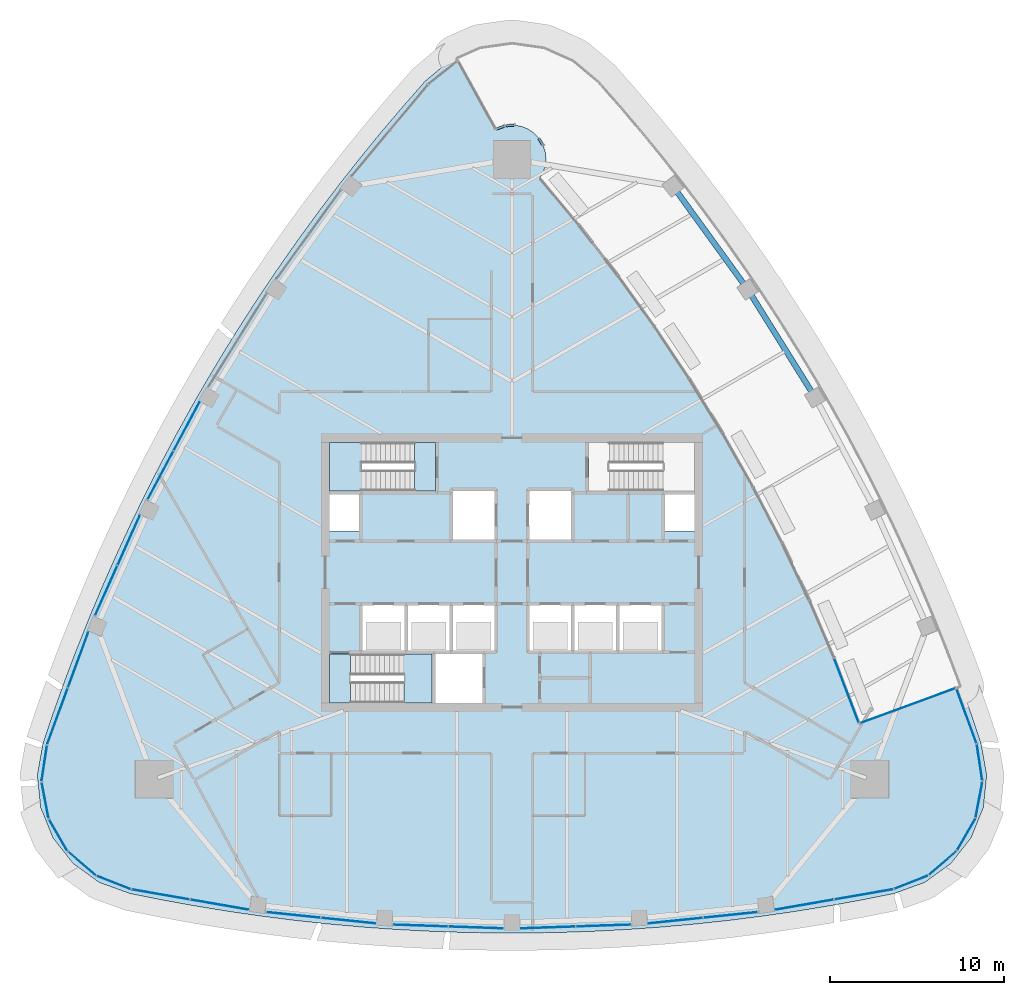
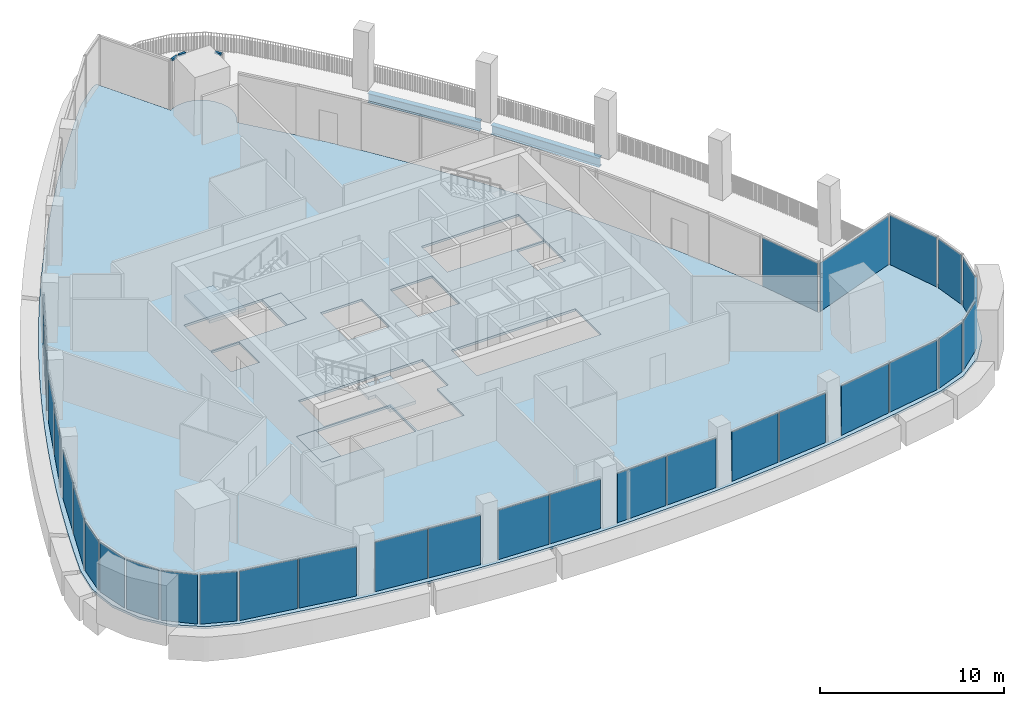
# One storey, part 7 of 18: 31 plates, 5 slabs, 3 members, 2 beams, 27 elements without a shape of their own.
"""IFC4 building model written with IfcOpenShell, lengths in metres."""

from ifc_helpers import new_model, si_unit, direction, frame, origin, origin_2d, place, context, subcontext, project, spatial, polyline, rectangle, i_section, outline, extrude, material, layer, layer_set, material_profile, profile_set, type_object, element, aggregate, save


model = new_model("IFC4")

# Units and contexts
model_context = context("Model", 3, precision=1e-05, world=origin(), true_north=direction((0.0, 1.0)))
body_context = subcontext(model_context, "Body", "Model", "MODEL_VIEW")
ifc_project = project(units=[si_unit("LENGTHUNIT", "METRE"), si_unit("AREAUNIT", "SQUARE_METRE"), si_unit("VOLUMEUNIT", "CUBIC_METRE"), si_unit("PLANEANGLEUNIT", "RADIAN"), si_unit("MASSUNIT", "GRAM", prefix="KILO")], contexts=[model_context])

# Site, building, storey
site_placement = place(None, origin())
site = spatial("IfcSite", under=ifc_project, at=site_placement, CompositionType="ELEMENT")
building_placement = place(site_placement, origin())
building = spatial("IfcBuilding", under=site, at=building_placement, Name="Sierra Prisma Convention Tower", CompositionType="ELEMENT")
storey_placement = place(building_placement, frame((0.0, 0.0, 291.0)))
storey = spatial("IfcBuildingStorey", under=building, at=storey_placement, Name="L66", CompositionType="ELEMENT", Elevation=291.0)

# Curtain wall, member
ifc_material_1 = material(Name="Aluminium and glass curtain wall", Category="aluminium")
ifc_layer_1 = layer(ifc_material_1, 0.179931640625)
ifc_layer_set_1 = layer_set([ifc_layer_1], Name="CW-6 Terrace recess curtain wall")
curtain_wall_type_1 = type_object("IfcCurtainWallType", Name="CW-6 Terrace recess curtain wall", PredefinedType="NOTDEFINED", material=ifc_layer_set_1)
curtain_wall_1_placement = place(storey_placement, origin())
curtain_wall_1 = element("IfcCurtainWall", 1, at=curtain_wall_1_placement, inside=storey, type_object=curtain_wall_type_1, Name="CW-6 R16 L66", PredefinedType="NOTDEFINED")
ifc_material_2 = material(Name="Aluminium 6063-T6 bronze anodised", Category="aluminium")
ifc_material_profile_1 = material_profile(ifc_material_2, rectangle(XDim=0.139892578125, YDim=0.1201171875, at=origin_2d()), Name="ALU TRANSOM 120x140")
ifc_profile_set_1 = profile_set([ifc_material_profile_1], Name="Aluminium 6063-T6 bronze anodised")
member_type = type_object("IfcMemberType", Name="CW transom bronze", PredefinedType="USERDEFINED", material=ifc_profile_set_1)
member_1_placement = place(storey_placement, frame((1.770751953125, 24.620849609375, 3.280029296875), z_axis=(-0.514330238623, 0.857592214072, 0.0), x_axis=(-0.857592214072, -0.514330238623, 0.0)))
member_1 = element("IfcMember", 2, at=member_1_placement, type_object=member_type, Name="CW-6 transom R16.1", ObjectType="TRANSOM", PredefinedType="USERDEFINED", context=body_context, shape_type="SweptSolid", body=[
    extrude(rectangle(XDim=0.139892578125, YDim=0.1201171875, at=origin_2d()), origin(), (0.0, 0.0, 1.0), 0.433837890625),
])
aggregate(curtain_wall_1, [member_1])

curtain_wall_2_placement = place(storey_placement, origin())
curtain_wall_2 = element("IfcCurtainWall", 3, at=curtain_wall_2_placement, inside=storey, type_object=curtain_wall_type_1, Name="CW-6 R21 L66", PredefinedType="NOTDEFINED")
member_2_placement = place(storey_placement, frame((0.121826171875, 25.755126953125, 3.280029296875), z_axis=(-0.998800969723, -0.048955315136, 0.0), x_axis=(0.048955315136, -0.998800969723, 0.0)))
member_2 = element("IfcMember", 4, at=member_2_placement, type_object=member_type, Name="CW-6 transom R21.1", ObjectType="TRANSOM", PredefinedType="USERDEFINED", context=body_context, shape_type="SweptSolid", body=[
    extrude(rectangle(XDim=0.139892578125, YDim=0.1201171875, at=origin_2d()), origin(), (0.0, 0.0, 1.0), 0.433837890625),
])
aggregate(curtain_wall_2, [member_2])

curtain_wall_3_placement = place(storey_placement, origin())
curtain_wall_3 = element("IfcCurtainWall", 5, at=curtain_wall_3_placement, inside=storey, type_object=curtain_wall_type_1, Name="CW-6 R22 L66", PredefinedType="NOTDEFINED")
member_3_placement = place(storey_placement, frame((-0.44677734375, 25.705322265625, 3.280029296875), z_axis=(-0.934057056594, -0.357123809102, 0.0), x_axis=(0.357123809102, -0.934057056594, 0.0)))
member_3 = element("IfcMember", 6, at=member_3_placement, type_object=member_type, Name="CW-6 transom R22.1", ObjectType="TRANSOM", PredefinedType="USERDEFINED", context=body_context, shape_type="SweptSolid", body=[
    extrude(rectangle(XDim=0.139892578125, YDim=0.1201171875, at=origin_2d()), origin(), (0.0, 0.0, 1.0), 0.458740234375),
])
aggregate(curtain_wall_3, [member_3])

# Beams
ifc_material_3 = material(Name="Steel ASTM A992 Gr 50", Category="steel")
ifc_material_profile_2 = material_profile(ifc_material_3, i_section(OverallWidth=0.324951171875, OverallDepth=0.615966796875, WebThickness=0.013916015625, FlangeThickness=0.021484375, at=origin_2d()), Name="W610x174")
ifc_profile_set_2 = profile_set([ifc_material_profile_2], Name="Steel ASTM A992 Gr 50")
beam_type = type_object("IfcBeamType", Name="Spandrel beam W610x174", PredefinedType="BEAM", material=ifc_profile_set_2)
beam_1_placement = place(storey_placement, frame((17.28173828125, 10.35888671875, -0.60791015625), z_axis=(-0.529509488144, 0.848304015059, 0.0), x_axis=(-0.848304015059, -0.529509488144, 0.0)))
element("IfcBeam", 7, at=beam_1_placement, inside=storey, type_object=beam_type, Name="Spandrel L66-10", PredefinedType="BEAM", context=body_context, shape_type="SweptSolid", body=[
    extrude(i_section(OverallWidth=0.324951171875, OverallDepth=0.615966796875, WebThickness=0.013916015625, FlangeThickness=0.021484375, at=origin_2d()), origin(), (0.0, 0.0, 1.0), 6.681884765625),
])
beam_2_placement = place(storey_placement, frame((13.375, 16.57470703125, -0.60791015625), z_axis=(-0.586599896772, 0.809876880215, 0.0), x_axis=(-0.809876880215, -0.586599896772, 0.0)))
element("IfcBeam", 8, at=beam_2_placement, inside=storey, type_object=beam_type, Name="Spandrel L66-11", PredefinedType="BEAM", context=body_context, shape_type="SweptSolid", body=[
    extrude(i_section(OverallWidth=0.324951171875, OverallDepth=0.615966796875, WebThickness=0.013916015625, FlangeThickness=0.021484375, at=origin_2d()), origin(), (0.0, 0.0, 1.0), 6.68212890625),
])

# Curtain wall, plates
ifc_material_4 = material(Name="Aluminium and glass curtain wall", Category="aluminium")
ifc_layer_2 = layer(ifc_material_4, 0.179931640625)
ifc_layer_set_2 = layer_set([ifc_layer_2], Name="CW-1 Plain shaft curtain wall")
curtain_wall_type_2 = type_object("IfcCurtainWallType", Name="CW-1 Plain shaft curtain wall", PredefinedType="NOTDEFINED", material=ifc_layer_set_2)
curtain_wall_4_placement = place(storey_placement, origin())
curtain_wall_4 = element("IfcCurtainWall", 9, at=curtain_wall_4_placement, inside=storey, type_object=curtain_wall_type_2, Name="CW-1 NW4 L66", PredefinedType="NOTDEFINED")
ifc_material_5 = material(Name="Tinted glass bronze-grey IGU", Category="glass")
ifc_layer_3 = layer(ifc_material_5, 0.028076171875)
ifc_layer_set_3 = layer_set([ifc_layer_3], Name="CW-1 glass panel")
plate_type_1 = type_object("IfcPlateType", Name="CW-1 glass panel", PredefinedType="CURTAIN_PANEL", material=ifc_layer_set_3)
plate_1_placement = place(storey_placement, frame((-18.737548828125, 8.41650390625, 0.0), z_axis=(0.0, 0.0, 1.0), x_axis=(-0.469906540465, -0.882716173653, 0.0)))
plate_1 = element("IfcPlate", 10, at=plate_1_placement, type_object=plate_type_1, Name="CW-1 panel NW4.1", PredefinedType="CURTAIN_PANEL", context=body_context, shape_type="SweptSolid", body=[
    extrude(rectangle(XDim=3.122314453125, YDim=0.028076171875, at=origin_2d()), origin(), (0.0, 0.0, 1.0), 3.280029296875),
])
plate_2_placement = place(storey_placement, frame((-20.23779296875, 5.5986328125, 0.0), z_axis=(0.0, 0.0, 1.0), x_axis=(-0.469906540465, -0.882716173653, 0.0)))
plate_2 = element("IfcPlate", 11, at=plate_2_placement, type_object=plate_type_1, Name="CW-1 panel NW4.2", PredefinedType="CURTAIN_PANEL", context=body_context, shape_type="SweptSolid", body=[
    extrude(rectangle(XDim=3.122314453125, YDim=0.028076171875, at=origin_2d()), origin(), (0.0, 0.0, 1.0), 3.280029296875),
])
aggregate(curtain_wall_4, [plate_1, plate_2])

curtain_wall_5_placement = place(storey_placement, origin())
curtain_wall_5 = element("IfcCurtainWall", 12, at=curtain_wall_5_placement, inside=storey, type_object=curtain_wall_type_2, Name="CW-1 NW5 L66", PredefinedType="NOTDEFINED")
plate_3_placement = place(storey_placement, frame((-22.0673828125, 1.858154296875, 0.0), z_axis=(0.0, 0.0, 1.0), x_axis=(-0.408086529685, -0.912943253598, 0.0)))
plate_3 = element("IfcPlate", 13, at=plate_3_placement, type_object=plate_type_1, Name="CW-1 panel NW5.1", PredefinedType="CURTAIN_PANEL", context=body_context, shape_type="SweptSolid", body=[
    extrude(rectangle(XDim=3.1064453125, YDim=0.028076171875, at=origin_2d()), origin(), (0.0, 0.0, 1.0), 3.280029296875),
])
plate_4_placement = place(storey_placement, frame((-23.363525390625, -1.041748046875, 0.0), z_axis=(0.0, 0.0, 1.0), x_axis=(-0.408086529685, -0.912943253598, 0.0)))
plate_4 = element("IfcPlate", 14, at=plate_4_placement, type_object=plate_type_1, Name="CW-1 panel NW5.2", PredefinedType="CURTAIN_PANEL", context=body_context, shape_type="SweptSolid", body=[
    extrude(rectangle(XDim=3.1064453125, YDim=0.028076171875, at=origin_2d()), origin(), (0.0, 0.0, 1.0), 3.280029296875),
])
aggregate(curtain_wall_5, [plate_3, plate_4])

curtain_wall_6_placement = place(storey_placement, origin())
curtain_wall_6 = element("IfcCurtainWall", 15, at=curtain_wall_6_placement, inside=storey, type_object=curtain_wall_type_2, Name="CW-1 NW6 L66", PredefinedType="NOTDEFINED")
plate_5_placement = place(storey_placement, frame((-24.98388671875, -5.03662109375, 0.0), z_axis=(0.0, 0.0, 1.0), x_axis=(-0.344334069994, -0.938847191103, 0.0)))
plate_5 = element("IfcPlate", 16, at=plate_5_placement, type_object=plate_type_1, Name="CW-1 panel NW6.1", PredefinedType="CURTAIN_PANEL", context=body_context, shape_type="SweptSolid", body=[
    extrude(rectangle(XDim=3.353271484375, YDim=0.028076171875, at=origin_2d()), origin(), (0.0, 0.0, 1.0), 3.280029296875),
])
plate_6_placement = place(storey_placement, frame((-26.16259765625, -8.250732421875, 0.0), z_axis=(0.0, 0.0, 1.0), x_axis=(-0.344334069994, -0.938847191103, 0.0)))
plate_6 = element("IfcPlate", 17, at=plate_6_placement, type_object=plate_type_1, Name="CW-1 panel NW6.2", PredefinedType="CURTAIN_PANEL", context=body_context, shape_type="SweptSolid", body=[
    extrude(rectangle(XDim=3.353271484375, YDim=0.028076171875, at=origin_2d()), origin(), (0.0, 0.0, 1.0), 3.280029296875),
])
aggregate(curtain_wall_6, [plate_5, plate_6])

# Curtain wall, plate
curtain_wall_7_placement = place(storey_placement, origin())
curtain_wall_7 = element("IfcCurtainWall", 18, at=curtain_wall_7_placement, inside=storey, type_object=curtain_wall_type_2, Name="CW-1 SW1 L66", PredefinedType="NOTDEFINED")
plate_7_placement = place(storey_placement, frame((-26.924560546875, -10.960205078125, 0.0), z_axis=(0.0, 0.0, 1.0), x_axis=(-0.14842224181, -0.988924081078, 0.0)))
plate_7 = element("IfcPlate", 19, at=plate_7_placement, type_object=plate_type_1, Name="CW-1 panel SW1.1", PredefinedType="CURTAIN_PANEL", context=body_context, shape_type="SweptSolid", body=[
    extrude(rectangle(XDim=2.023681640625, YDim=0.028076171875, at=origin_2d()), origin(), (0.0, 0.0, 1.0), 3.280029296875),
])
aggregate(curtain_wall_7, [plate_7])

curtain_wall_8_placement = place(storey_placement, origin())
curtain_wall_8 = element("IfcCurtainWall", 20, at=curtain_wall_8_placement, inside=storey, type_object=curtain_wall_type_2, Name="CW-1 SW2 L66", PredefinedType="NOTDEFINED")
plate_8_placement = place(storey_placement, frame((-26.8837890625, -13.093017578125, 0.0), z_axis=(0.0, 0.0, 1.0), x_axis=(0.186219631717, -0.982508141831, 0.0)))
plate_8 = element("IfcPlate", 21, at=plate_8_placement, type_object=plate_type_1, Name="CW-1 panel SW2.1", PredefinedType="CURTAIN_PANEL", context=body_context, shape_type="SweptSolid", body=[
    extrude(rectangle(XDim=2.023681640625, YDim=0.028076171875, at=origin_2d()), origin(), (0.0, 0.0, 1.0), 3.280029296875),
])
aggregate(curtain_wall_8, [plate_8])

curtain_wall_9_placement = place(storey_placement, origin())
curtain_wall_9 = element("IfcCurtainWall", 22, at=curtain_wall_9_placement, inside=storey, type_object=curtain_wall_type_2, Name="CW-1 SW3 L66", PredefinedType="NOTDEFINED")
plate_9_placement = place(storey_placement, frame((-26.141357421875, -15.0927734375, 0.0), z_axis=(0.0, 0.0, 1.0), x_axis=(0.5, -0.866025403784, 0.0)))
plate_9 = element("IfcPlate", 23, at=plate_9_placement, type_object=plate_type_1, Name="CW-1 panel SW3.1", PredefinedType="CURTAIN_PANEL", context=body_context, shape_type="SweptSolid", body=[
    extrude(rectangle(XDim=2.023681640625, YDim=0.028076171875, at=origin_2d()), origin(), (0.0, 0.0, 1.0), 3.280029296875),
])
aggregate(curtain_wall_9, [plate_9])

curtain_wall_10_placement = place(storey_placement, origin())
curtain_wall_10 = element("IfcCurtainWall", 24, at=curtain_wall_10_placement, inside=storey, type_object=curtain_wall_type_2, Name="CW-1 SW4 L66", PredefinedType="NOTDEFINED")
plate_10_placement = place(storey_placement, frame((-24.78076171875, -16.735595703125, 0.0), z_axis=(0.0, 0.0, 1.0), x_axis=(0.757767194392, -0.652525002665, 0.0)))
plate_10 = element("IfcPlate", 25, at=plate_10_placement, type_object=plate_type_1, Name="CW-1 panel SW4.1", PredefinedType="CURTAIN_PANEL", context=body_context, shape_type="SweptSolid", body=[
    extrude(rectangle(XDim=2.023681640625, YDim=0.028076171875, at=origin_2d()), origin(), (0.0, 0.0, 1.0), 3.280029296875),
])
aggregate(curtain_wall_10, [plate_10])

curtain_wall_11_placement = place(storey_placement, origin())
curtain_wall_11 = element("IfcCurtainWall", 26, at=curtain_wall_11_placement, inside=storey, type_object=curtain_wall_type_2, Name="CW-1 SW5 L66", PredefinedType="NOTDEFINED")
plate_11_placement = place(storey_placement, frame((-22.9541015625, -17.83740234375, 0.0), z_axis=(0.0, 0.0, 1.0), x_axis=(0.930644497533, -0.365924608645, 0.0)))
plate_11 = element("IfcPlate", 27, at=plate_11_placement, type_object=plate_type_1, Name="CW-1 panel SW5.1", PredefinedType="CURTAIN_PANEL", context=body_context, shape_type="SweptSolid", body=[
    extrude(rectangle(XDim=2.023681640625, YDim=0.028076171875, at=origin_2d()), origin(), (0.0, 0.0, 1.0), 3.280029296875),
])
aggregate(curtain_wall_11, [plate_11])

# Curtain wall, plates
curtain_wall_12_placement = place(storey_placement, origin())
curtain_wall_12 = element("IfcCurtainWall", 28, at=curtain_wall_12_placement, inside=storey, type_object=curtain_wall_type_2, Name="CW-1 S1 L66", PredefinedType="NOTDEFINED")
plate_12_placement = place(storey_placement, frame((-20.2265625, -18.5322265625, 0.0), z_axis=(0.0, 0.0, 1.0), x_axis=(0.985232552764, -0.171221543548, 0.0)))
plate_12 = element("IfcPlate", 29, at=plate_12_placement, type_object=plate_type_1, Name="CW-1 panel S1.1", PredefinedType="CURTAIN_PANEL", context=body_context, shape_type="SweptSolid", body=[
    extrude(rectangle(XDim=3.353271484375, YDim=0.028076171875, at=origin_2d()), origin(), (0.0, 0.0, 1.0), 3.280029296875),
])
plate_13_placement = place(storey_placement, frame((-16.853759765625, -19.118408203125, 0.0), z_axis=(0.0, 0.0, 1.0), x_axis=(0.985232552764, -0.171221543548, 0.0)))
plate_13 = element("IfcPlate", 30, at=plate_13_placement, type_object=plate_type_1, Name="CW-1 panel S1.2", PredefinedType="CURTAIN_PANEL", context=body_context, shape_type="SweptSolid", body=[
    extrude(rectangle(XDim=3.353271484375, YDim=0.028076171875, at=origin_2d()), origin(), (0.0, 0.0, 1.0), 3.280029296875),
])
aggregate(curtain_wall_12, [plate_12, plate_13])

curtain_wall_13_placement = place(storey_placement, origin())
curtain_wall_13 = element("IfcCurtainWall", 31, at=curtain_wall_13_placement, inside=storey, type_object=curtain_wall_type_2, Name="CW-1 S2 L66", PredefinedType="NOTDEFINED")
plate_14_placement = place(storey_placement, frame((-12.583984375, -19.712646484375, 0.0), z_axis=(0.0, 0.0, 1.0), x_axis=(0.994675314672, -0.10305832515, 0.0)))
plate_14 = element("IfcPlate", 32, at=plate_14_placement, type_object=plate_type_1, Name="CW-1 panel S2.1", PredefinedType="CURTAIN_PANEL", context=body_context, shape_type="SweptSolid", body=[
    extrude(rectangle(XDim=3.1064453125, YDim=0.028076171875, at=origin_2d()), origin(), (0.0, 0.0, 1.0), 3.280029296875),
])
plate_15_placement = place(storey_placement, frame((-9.42431640625, -20.0400390625, 0.0), z_axis=(0.0, 0.0, 1.0), x_axis=(0.994675314672, -0.10305832515, 0.0)))
plate_15 = element("IfcPlate", 33, at=plate_15_placement, type_object=plate_type_1, Name="CW-1 panel S2.2", PredefinedType="CURTAIN_PANEL", context=body_context, shape_type="SweptSolid", body=[
    extrude(rectangle(XDim=3.1064453125, YDim=0.028076171875, at=origin_2d()), origin(), (0.0, 0.0, 1.0), 3.280029296875),
])
aggregate(curtain_wall_13, [plate_14, plate_15])

curtain_wall_14_placement = place(storey_placement, origin())
curtain_wall_14 = element("IfcCurtainWall", 34, at=curtain_wall_14_placement, inside=storey, type_object=curtain_wall_type_2, Name="CW-1 S3 L66", PredefinedType="NOTDEFINED")
plate_16_placement = place(storey_placement, frame((-5.270263671875, -20.32568359375, 0.0), z_axis=(0.0, 0.0, 1.0), x_axis=(0.999407900947, -0.03440708538, 0.0)))
plate_16 = element("IfcPlate", 35, at=plate_16_placement, type_object=plate_type_1, Name="CW-1 panel S3.1", PredefinedType="CURTAIN_PANEL", context=body_context, shape_type="SweptSolid", body=[
    extrude(rectangle(XDim=3.122314453125, YDim=0.028076171875, at=origin_2d()), origin(), (0.0, 0.0, 1.0), 3.280029296875),
])
plate_17_placement = place(storey_placement, frame((-2.079833984375, -20.435546875, 0.0), z_axis=(0.0, 0.0, 1.0), x_axis=(0.999407900947, -0.03440708538, 0.0)))
plate_17 = element("IfcPlate", 36, at=plate_17_placement, type_object=plate_type_1, Name="CW-1 panel S3.2", PredefinedType="CURTAIN_PANEL", context=body_context, shape_type="SweptSolid", body=[
    extrude(rectangle(XDim=3.122314453125, YDim=0.028076171875, at=origin_2d()), origin(), (0.0, 0.0, 1.0), 3.280029296875),
])
aggregate(curtain_wall_14, [plate_16, plate_17])

curtain_wall_15_placement = place(storey_placement, origin())
curtain_wall_15 = element("IfcCurtainWall", 37, at=curtain_wall_15_placement, inside=storey, type_object=curtain_wall_type_2, Name="CW-1 S4 L66", PredefinedType="NOTDEFINED")
plate_18_placement = place(storey_placement, frame((2.079833984375, -20.435546875, 0.0), z_axis=(0.0, 0.0, 1.0), x_axis=(0.999407900947, 0.03440708538, 0.0)))
plate_18 = element("IfcPlate", 38, at=plate_18_placement, type_object=plate_type_1, Name="CW-1 panel S4.1", PredefinedType="CURTAIN_PANEL", context=body_context, shape_type="SweptSolid", body=[
    extrude(rectangle(XDim=3.122314453125, YDim=0.028076171875, at=origin_2d()), origin(), (0.0, 0.0, 1.0), 3.280029296875),
])
plate_19_placement = place(storey_placement, frame((5.270263671875, -20.32568359375, 0.0), z_axis=(0.0, 0.0, 1.0), x_axis=(0.999407900947, 0.03440708538, 0.0)))
plate_19 = element("IfcPlate", 39, at=plate_19_placement, type_object=plate_type_1, Name="CW-1 panel S4.2", PredefinedType="CURTAIN_PANEL", context=body_context, shape_type="SweptSolid", body=[
    extrude(rectangle(XDim=3.122314453125, YDim=0.028076171875, at=origin_2d()), origin(), (0.0, 0.0, 1.0), 3.280029296875),
])
aggregate(curtain_wall_15, [plate_18, plate_19])

curtain_wall_16_placement = place(storey_placement, origin())
curtain_wall_16 = element("IfcCurtainWall", 40, at=curtain_wall_16_placement, inside=storey, type_object=curtain_wall_type_2, Name="CW-1 S5 L66", PredefinedType="NOTDEFINED")
plate_20_placement = place(storey_placement, frame((9.42431640625, -20.0400390625, 0.0), z_axis=(0.0, 0.0, 1.0), x_axis=(0.994675314672, 0.10305832515, 0.0)))
plate_20 = element("IfcPlate", 41, at=plate_20_placement, type_object=plate_type_1, Name="CW-1 panel S5.1", PredefinedType="CURTAIN_PANEL", context=body_context, shape_type="SweptSolid", body=[
    extrude(rectangle(XDim=3.1064453125, YDim=0.028076171875, at=origin_2d()), origin(), (0.0, 0.0, 1.0), 3.280029296875),
])
plate_21_placement = place(storey_placement, frame((12.583984375, -19.712646484375, 0.0), z_axis=(0.0, 0.0, 1.0), x_axis=(0.994675314672, 0.10305832515, 0.0)))
plate_21 = element("IfcPlate", 42, at=plate_21_placement, type_object=plate_type_1, Name="CW-1 panel S5.2", PredefinedType="CURTAIN_PANEL", context=body_context, shape_type="SweptSolid", body=[
    extrude(rectangle(XDim=3.1064453125, YDim=0.028076171875, at=origin_2d()), origin(), (0.0, 0.0, 1.0), 3.280029296875),
])
aggregate(curtain_wall_16, [plate_20, plate_21])

curtain_wall_17_placement = place(storey_placement, origin())
curtain_wall_17 = element("IfcCurtainWall", 43, at=curtain_wall_17_placement, inside=storey, type_object=curtain_wall_type_2, Name="CW-1 S6 L66", PredefinedType="NOTDEFINED")
plate_22_placement = place(storey_placement, frame((16.853759765625, -19.118408203125, 0.0), z_axis=(0.0, 0.0, 1.0), x_axis=(0.985232552764, 0.171221543548, 0.0)))
plate_22 = element("IfcPlate", 44, at=plate_22_placement, type_object=plate_type_1, Name="CW-1 panel S6.1", PredefinedType="CURTAIN_PANEL", context=body_context, shape_type="SweptSolid", body=[
    extrude(rectangle(XDim=3.353271484375, YDim=0.028076171875, at=origin_2d()), origin(), (0.0, 0.0, 1.0), 3.280029296875),
])
plate_23_placement = place(storey_placement, frame((20.2265625, -18.5322265625, 0.0), z_axis=(0.0, 0.0, 1.0), x_axis=(0.985232552764, 0.171221543548, 0.0)))
plate_23 = element("IfcPlate", 45, at=plate_23_placement, type_object=plate_type_1, Name="CW-1 panel S6.2", PredefinedType="CURTAIN_PANEL", context=body_context, shape_type="SweptSolid", body=[
    extrude(rectangle(XDim=3.353271484375, YDim=0.028076171875, at=origin_2d()), origin(), (0.0, 0.0, 1.0), 3.280029296875),
])
aggregate(curtain_wall_17, [plate_22, plate_23])

# Curtain wall, plate
curtain_wall_18_placement = place(storey_placement, origin())
curtain_wall_18 = element("IfcCurtainWall", 46, at=curtain_wall_18_placement, inside=storey, type_object=curtain_wall_type_2, Name="CW-1 SE1 L66", PredefinedType="NOTDEFINED")
plate_24_placement = place(storey_placement, frame((22.9541015625, -17.83740234375, 0.0), z_axis=(0.0, 0.0, 1.0), x_axis=(0.930644497533, 0.365924608645, 0.0)))
plate_24 = element("IfcPlate", 47, at=plate_24_placement, type_object=plate_type_1, Name="CW-1 panel SE1.1", PredefinedType="CURTAIN_PANEL", context=body_context, shape_type="SweptSolid", body=[
    extrude(rectangle(XDim=2.023681640625, YDim=0.028076171875, at=origin_2d()), origin(), (0.0, 0.0, 1.0), 3.280029296875),
])
aggregate(curtain_wall_18, [plate_24])

curtain_wall_19_placement = place(storey_placement, origin())
curtain_wall_19 = element("IfcCurtainWall", 48, at=curtain_wall_19_placement, inside=storey, type_object=curtain_wall_type_2, Name="CW-1 SE2 L66", PredefinedType="NOTDEFINED")
plate_25_placement = place(storey_placement, frame((24.78076171875, -16.735595703125, 0.0), z_axis=(0.0, 0.0, 1.0), x_axis=(0.757767194392, 0.652525002665, 0.0)))
plate_25 = element("IfcPlate", 49, at=plate_25_placement, type_object=plate_type_1, Name="CW-1 panel SE2.1", PredefinedType="CURTAIN_PANEL", context=body_context, shape_type="SweptSolid", body=[
    extrude(rectangle(XDim=2.023681640625, YDim=0.028076171875, at=origin_2d()), origin(), (0.0, 0.0, 1.0), 3.280029296875),
])
aggregate(curtain_wall_19, [plate_25])

curtain_wall_20_placement = place(storey_placement, origin())
curtain_wall_20 = element("IfcCurtainWall", 50, at=curtain_wall_20_placement, inside=storey, type_object=curtain_wall_type_2, Name="CW-1 SE3 L66", PredefinedType="NOTDEFINED")
plate_26_placement = place(storey_placement, frame((26.141357421875, -15.0927734375, 0.0), z_axis=(0.0, 0.0, 1.0), x_axis=(0.5, 0.866025403784, 0.0)))
plate_26 = element("IfcPlate", 51, at=plate_26_placement, type_object=plate_type_1, Name="CW-1 panel SE3.1", PredefinedType="CURTAIN_PANEL", context=body_context, shape_type="SweptSolid", body=[
    extrude(rectangle(XDim=2.023681640625, YDim=0.028076171875, at=origin_2d()), origin(), (0.0, 0.0, 1.0), 3.280029296875),
])
aggregate(curtain_wall_20, [plate_26])

curtain_wall_21_placement = place(storey_placement, origin())
curtain_wall_21 = element("IfcCurtainWall", 52, at=curtain_wall_21_placement, inside=storey, type_object=curtain_wall_type_2, Name="CW-1 SE4 L66", PredefinedType="NOTDEFINED")
plate_27_placement = place(storey_placement, frame((26.8837890625, -13.093017578125, 0.0), z_axis=(0.0, 0.0, 1.0), x_axis=(0.186219631717, 0.982508141831, 0.0)))
plate_27 = element("IfcPlate", 53, at=plate_27_placement, type_object=plate_type_1, Name="CW-1 panel SE4.1", PredefinedType="CURTAIN_PANEL", context=body_context, shape_type="SweptSolid", body=[
    extrude(rectangle(XDim=2.023681640625, YDim=0.028076171875, at=origin_2d()), origin(), (0.0, 0.0, 1.0), 3.280029296875),
])
aggregate(curtain_wall_21, [plate_27])

curtain_wall_22_placement = place(storey_placement, origin())
curtain_wall_22 = element("IfcCurtainWall", 54, at=curtain_wall_22_placement, inside=storey, type_object=curtain_wall_type_2, Name="CW-1 SE5 L66", PredefinedType="NOTDEFINED")
plate_28_placement = place(storey_placement, frame((26.924560546875, -10.960205078125, 0.0), z_axis=(0.0, 0.0, 1.0), x_axis=(-0.14842224181, 0.988924081078, 0.0)))
plate_28 = element("IfcPlate", 55, at=plate_28_placement, type_object=plate_type_1, Name="CW-1 panel SE5.1", PredefinedType="CURTAIN_PANEL", context=body_context, shape_type="SweptSolid", body=[
    extrude(rectangle(XDim=2.023681640625, YDim=0.028076171875, at=origin_2d()), origin(), (0.0, 0.0, 1.0), 3.280029296875),
])
aggregate(curtain_wall_22, [plate_28])

curtain_wall_23_placement = place(storey_placement, origin())
curtain_wall_23 = element("IfcCurtainWall", 56, at=curtain_wall_23_placement, inside=storey, type_object=curtain_wall_type_2, Name="CW-1 NE1 L66", PredefinedType="NOTDEFINED")
plate_29_placement = place(storey_placement, frame((26.168701171875, -8.26708984375, 0.0), z_axis=(0.0, 0.0, 1.0), x_axis=(-0.344334069994, 0.938847191103, 0.0)))
plate_29 = element("IfcPlate", 57, at=plate_29_placement, type_object=plate_type_1, Name="CW-1 panel NE1.1", PredefinedType="CURTAIN_PANEL", context=body_context, shape_type="SweptSolid", body=[
    extrude(rectangle(XDim=3.318359375, YDim=0.028076171875, at=origin_2d()), origin(), (0.0, 0.0, 1.0), 3.280029296875),
])
aggregate(curtain_wall_23, [plate_29])

curtain_wall_24_placement = place(storey_placement, origin())
curtain_wall_24 = element("IfcCurtainWall", 58, at=curtain_wall_24_placement, inside=storey, type_object=curtain_wall_type_1, Name="CW-6 R1 L66", PredefinedType="NOTDEFINED")
ifc_material_6 = material(Name="Tinted glass bronze-grey IGU", Category="glass")
ifc_layer_4 = layer(ifc_material_6, 0.028076171875)
ifc_layer_set_4 = layer_set([ifc_layer_4], Name="CW-6 glass panel")
plate_type_2 = type_object("IfcPlateType", Name="CW-6 glass panel", PredefinedType="CURTAIN_PANEL", material=ifc_layer_set_4)
plate_30_placement = place(storey_placement, frame((19.269775390625, -6.8232421875, 0.0), z_axis=(0.0, 0.0, 1.0), x_axis=(-0.357276922993, 0.933998501228, 0.0)))
plate_30 = element("IfcPlate", 59, at=plate_30_placement, type_object=plate_type_2, Name="CW-6 panel R1.1", PredefinedType="CURTAIN_PANEL", context=body_context, shape_type="SweptSolid", body=[
    extrude(rectangle(XDim=3.864501953125, YDim=0.028076171875, at=origin_2d()), origin(), (0.0, 0.0, 1.0), 3.219970703125),
])
aggregate(curtain_wall_24, [plate_30])

curtain_wall_25_placement = place(storey_placement, origin())
curtain_wall_25 = element("IfcCurtainWall", 60, at=curtain_wall_25_placement, inside=storey, type_object=curtain_wall_type_1, Name="CW-6 RT1 L66", PredefinedType="NOTDEFINED")
plate_31_placement = place(storey_placement, frame((22.779296875, -7.66845703125, 0.0), z_axis=(0.0, 0.0, 1.0), x_axis=(-0.938847191103, -0.344334069994, 0.0)))
plate_31 = element("IfcPlate", 61, at=plate_31_placement, type_object=plate_type_2, Name="CW-6 panel RT1.1", PredefinedType="CURTAIN_PANEL", context=body_context, shape_type="SweptSolid", body=[
    extrude(rectangle(XDim=5.812255859375, YDim=0.028076171875, at=origin_2d()), origin(), (0.0, 0.0, 1.0), 3.219970703125),
])
aggregate(curtain_wall_25, [plate_31])

# Slab
ifc_material_7 = material(Name="Concrete C35/45", Category="concrete")
ifc_layer_5 = layer(ifc_material_7, 0.14990234375)
ifc_layer_set_5 = layer_set([ifc_layer_5], Name="Composite floor slab 150")
slab_type_1 = type_object("IfcSlabType", Name="Composite floor slab 150", PredefinedType="FLOOR", material=ifc_layer_set_5)
slab_1_placement = place(storey_placement, frame((0.0, 0.0, -0.14990234375)))
element("IfcSlab", 62, at=slab_1_placement, inside=storey, type_object=slab_type_1, Name="Floor slab L66 floor", PredefinedType="FLOOR", context=body_context, shape_type="SweptSolid", body=[
    extrude(outline(polyline([(26.384521484375, -7.987548828125), (25.865478515625, -6.5390625), (19.985107421875, -8.693115234375), (18.554443359375, -4.953125), (17.118408203125, -1.620849609375), (15.563720703125, 1.65771484375), (13.89208984375, 4.87841796875), (12.106201171875, 8.037109375), (10.2080078125, 11.12939453125), (8.199951171875, 14.151611328125), (6.084716796875, 17.099853515625), (4.98779296875, 18.545166015625), (3.864990234375, 19.97021484375), (1.600830078125, 22.69189453125), (1.806884765625, 23.06396484375), (1.91796875, 23.430908203125), (1.95556640625, 23.8125), (1.91796875, 24.19384765625), (1.806884765625, 24.560791015625), (1.51171875, 25.052978515625), (1.24072265625, 25.32421875), (0.921875, 25.537109375), (0.567626953125, 25.683837890625), (0.191650390625, 25.758544921875), (-0.381591796875, 25.73046875), (-0.940673828125, 25.516357421875), (-3.208740234375, 29.66064453125), (-3.5693359375, 29.49951171875), (-5.0029296875, 28.290283203125), (-6.27490234375, 26.84326171875), (-7.520751953125, 25.373779296875), (-8.73974609375, 23.882080078125), (-9.93212890625, 22.36865234375), (-11.096923828125, 20.833984375), (-12.23388671875, 19.27880859375), (-13.343017578125, 17.70361328125), (-14.423583984375, 16.1083984375), (-15.47509765625, 14.494384765625), (-16.497802734375, 12.861572265625), (-17.49072265625, 11.210693359375), (-18.4541015625, 9.542236328125), (-19.38720703125, 7.856689453125), (-20.2900390625, 6.15478515625), (-21.162109375, 4.436767578125), (-22.003173828125, 2.70361328125), (-22.81298828125, 0.95556640625), (-23.59130859375, -0.806884765625), (-24.337890625, -2.5830078125), (-25.05224609375, -4.3720703125), (-25.734619140625, -6.173828125), (-26.384521484375, -7.987548828125), (-27.001708984375, -9.8125), (-27.331787109375, -11.65869140625), (-27.138671875, -13.524169921875), (-26.436767578125, -15.263427734375), (-25.281494140625, -16.74072265625), (-23.7626953125, -17.8408203125), (-21.998779296875, -18.477783203125), (-20.109619140625, -18.85595703125), (-18.214111328125, -19.199951171875), (-16.3125, -19.510009765625), (-14.40576171875, -19.78564453125), (-12.494384765625, -20.027099609375), (-10.5791015625, -20.234375), (-8.66015625, -20.406982421875), (-6.738525390625, -20.54541015625), (-4.81494140625, -20.649169921875), (-2.8896484375, -20.71826171875), (-0.96337890625, -20.7529296875), (0.96337890625, -20.7529296875), (2.8896484375, -20.71826171875), (4.81494140625, -20.649169921875), (6.738525390625, -20.54541015625), (8.66015625, -20.406982421875), (10.5791015625, -20.234375), (12.494384765625, -20.027099609375), (14.40576171875, -19.78564453125), (16.3125, -19.510009765625), (18.214111328125, -19.199951171875), (20.109619140625, -18.85595703125), (21.998779296875, -18.477783203125), (23.7626953125, -17.8408203125), (25.281494140625, -16.74072265625), (26.436767578125, -15.263427734375), (27.138671875, -13.524169921875), (27.331787109375, -11.65869140625), (27.001708984375, -9.8125), (26.384521484375, -7.987548828125)]), holes=[polyline([(-4.60009765625, -4.699951171875), (-4.60009765625, -7.5), (-10.5, -7.5), (-10.5, -4.699951171875), (-4.60009765625, -4.699951171875)]), polyline([(-4.5, -7.5), (-4.5, -4.60009765625), (-6.10009765625, -4.60009765625), (-8.699951171875, -4.60009765625), (-8.699951171875, -1.800048828125), (-6.10009765625, -1.800048828125), (-3.5, -1.800048828125), (-0.89990234375, -1.800048828125), (-0.89990234375, -4.60009765625), (-1.60009765625, -4.60009765625), (-1.60009765625, -7.5), (-4.5, -7.5)]), polyline([(-8.699951171875, 2.39990234375), (-10.5, 2.39990234375), (-10.5, 4.60009765625), (-8.699951171875, 4.60009765625), (-8.699951171875, 2.39990234375)]), polyline([(-4.39990234375, 4.699951171875), (-10.5, 4.699951171875), (-10.5, 7.5), (-4.39990234375, 7.5), (-4.39990234375, 4.699951171875)]), polyline([(3.5, -1.800048828125), (6.10009765625, -1.800048828125), (8.699951171875, -1.800048828125), (8.699951171875, -4.60009765625), (6.10009765625, -4.60009765625), (3.5, -4.60009765625), (0.89990234375, -4.60009765625), (0.89990234375, -1.800048828125), (3.5, -1.800048828125)]), polyline([(-0.89990234375, 1.800048828125), (-3.5, 1.800048828125), (-3.5, 4.800048828125), (-0.89990234375, 4.800048828125), (-0.89990234375, 1.800048828125)]), polyline([(3.5, 1.800048828125), (0.89990234375, 1.800048828125), (0.89990234375, 4.800048828125), (3.5, 4.800048828125), (3.5, 1.800048828125)]), polyline([(10.5, 2.39990234375), (8.699951171875, 2.39990234375), (8.699951171875, 4.60009765625), (10.5, 4.60009765625), (10.5, 2.39990234375)]), polyline([(10.5, 4.699951171875), (4.39990234375, 4.699951171875), (4.39990234375, 7.5), (10.5, 7.5), (10.5, 4.699951171875)])]), origin(), (0.0, 0.0, 1.0), 0.14990234375),
])

# Stair, slab
ifc_material_8 = material(Name="Concrete C30/37", Category="concrete")
stair_type = type_object("IfcStairType", Name="Stair dog-leg 1200 RC", PredefinedType="HALF_TURN_STAIR", material=ifc_material_8)
stair_1_placement = place(storey_placement, origin())
stair_1 = element("IfcStair", 63, at=stair_1_placement, inside=storey, type_object=stair_type, Name="L66 S1", PredefinedType="HALF_TURN_STAIR")
ifc_material_9 = material(Name="Concrete C35/45", Category="concrete")
ifc_layer_6 = layer(ifc_material_9, 0.199951171875)
ifc_layer_set_6 = layer_set([ifc_layer_6], Name="Stair landing slab")
slab_type_2 = type_object("IfcSlabType", Name="Stair landing slab", PredefinedType="LANDING", material=ifc_layer_set_6)
slab_2_placement = place(storey_placement, frame((0.0, 0.0, 1.800048828125)))
slab_2 = element("IfcSlab", 64, at=slab_2_placement, type_object=slab_type_2, Name="S1 landing 1", PredefinedType="LANDING", context=body_context, shape_type="SweptSolid", body=[
    extrude(outline(polyline([(-4.60009765625, -4.699951171875), (-4.60009765625, -7.5), (-6.221923828125, -7.5), (-6.221923828125, -5.89990234375), (-6.669921875, -5.89990234375), (-6.669921875, -4.699951171875), (-4.60009765625, -4.699951171875)])), origin(), (0.0, 0.0, 1.0), 0.199951171875),
])
aggregate(stair_1, [slab_2])

# Slab
slab_3_placement = place(storey_placement, frame((0.0, 0.0, -0.199951171875)))
element("IfcSlab", 65, at=slab_3_placement, inside=storey, type_object=slab_type_2, Name="S1 floor landing L66", PredefinedType="LANDING", context=body_context, shape_type="SweptSolid", body=[
    extrude(outline(polyline([(-10.5, -7.5), (-9.298095703125, -7.5), (-9.298095703125, -4.699951171875), (-10.5, -4.699951171875), (-10.5, -7.5)])), origin(), (0.0, 0.0, 1.0), 0.199951171875),
])

# Stair, slab
stair_2_placement = place(storey_placement, origin())
stair_2 = element("IfcStair", 66, at=stair_2_placement, inside=storey, type_object=stair_type, Name="L66 S3", PredefinedType="HALF_TURN_STAIR")
slab_4_placement = place(storey_placement, frame((0.0, 0.0, 1.800048828125)))
slab_4 = element("IfcSlab", 67, at=slab_4_placement, type_object=slab_type_2, Name="S3 landing 1", PredefinedType="LANDING", context=body_context, shape_type="SweptSolid", body=[
    extrude(outline(polyline([(-8.22998046875, 5.89990234375), (-8.22998046875, 4.699951171875), (-10.5, 4.699951171875), (-10.5, 7.5), (-8.677978515625, 7.5), (-8.677978515625, 5.89990234375), (-8.22998046875, 5.89990234375)])), origin(), (0.0, 0.0, 1.0), 0.199951171875),
])
aggregate(stair_2, [slab_4])

# Slab
slab_5_placement = place(storey_placement, frame((0.0, 0.0, -0.199951171875)))
element("IfcSlab", 68, at=slab_5_placement, inside=storey, type_object=slab_type_2, Name="S3 floor landing L66", PredefinedType="LANDING", context=body_context, shape_type="SweptSolid", body=[
    extrude(outline(polyline([(-4.39990234375, 7.5), (-5.60205078125, 7.5), (-5.60205078125, 4.699951171875), (-4.39990234375, 4.699951171875), (-4.39990234375, 7.5)])), origin(), (0.0, 0.0, 1.0), 0.199951171875),
])

save(model, "model.ifc")
